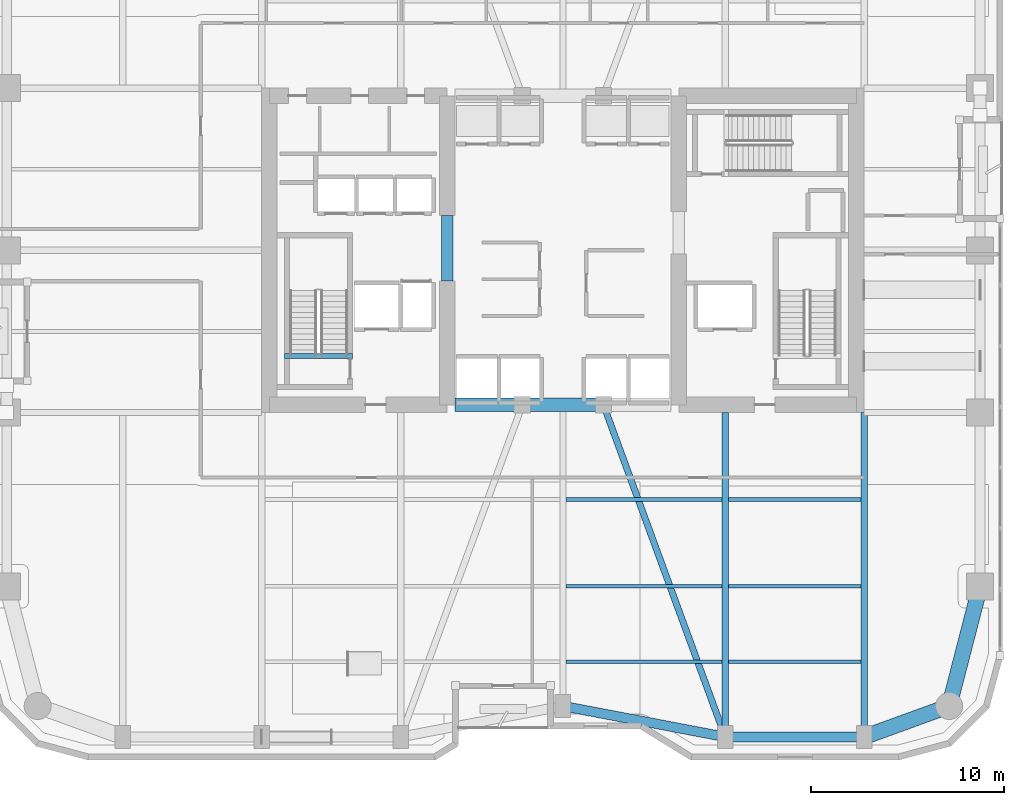
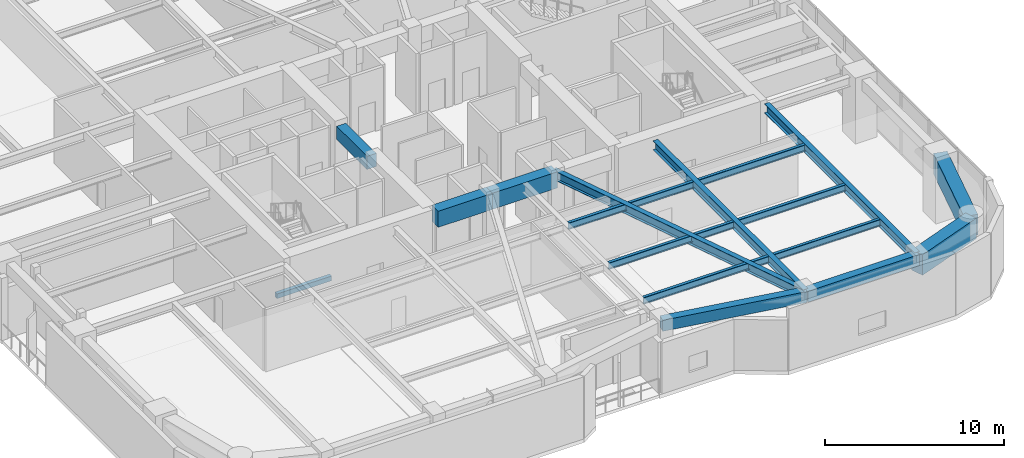
# One storey, part 3 of 23: 17 beams.
"""IFC4 building model written with IfcOpenShell, lengths in metres."""

from ifc_helpers import new_model, si_unit, direction, frame, origin, origin_2d, place, context, subcontext, project, spatial, rectangle, i_section, extrude, material, material_profile, profile_set, type_object, element, save


model = new_model("IFC4")

# Units and contexts
model_context = context("Model", 3, precision=1e-05, world=origin(), true_north=direction((0.0, 1.0)))
body_context = subcontext(model_context, "Body", "Model", "MODEL_VIEW")
ifc_project = project(units=[si_unit("LENGTHUNIT", "METRE"), si_unit("AREAUNIT", "SQUARE_METRE"), si_unit("VOLUMEUNIT", "CUBIC_METRE"), si_unit("PLANEANGLEUNIT", "RADIAN"), si_unit("MASSUNIT", "GRAM", prefix="KILO")], contexts=[model_context])

# Site, building, storey
site_placement = place(None, origin())
site = spatial("IfcSite", under=ifc_project, at=site_placement, CompositionType="ELEMENT")
building_placement = place(site_placement, origin())
building = spatial("IfcBuilding", under=site, at=building_placement, Name="Kiyonajd Concourse Tower", CompositionType="ELEMENT")
storey_placement = place(building_placement, frame((0.0, 0.0, 120.89990234375)))
storey = spatial("IfcBuildingStorey", under=building, at=storey_placement, Name="L31", CompositionType="ELEMENT", Elevation=120.89990234375)

# Beams
ifc_material_1 = material(Name="Concrete C70/85", Category="concrete")
ifc_material_profile_1 = material_profile(ifc_material_1, rectangle(XDim=0.699951171875, YDim=1.10009765625, at=origin_2d()), Name="RCBM-700x1100")
ifc_profile_set_1 = profile_set([ifc_material_profile_1], Name="Concrete C70/85")
beam_type_1 = type_object("IfcBeamType", Name="BM-COUP-1100", PredefinedType="LINTEL", material=ifc_profile_set_1)
beam_1_placement = place(storey_placement, frame((42.39990234375, 28.0, 3.690185546875), z_axis=(1.0, 0.0, 0.0), x_axis=(0.0, 1.0, 0.0)))
element("IfcBeam", 1, at=beam_1_placement, inside=storey, type_object=beam_type_1, Name="L31 Core Coupling Beam S1", PredefinedType="LINTEL", context=body_context, shape_type="SweptSolid", body=[
    extrude(rectangle(XDim=0.699951171875, YDim=1.10009765625, at=origin_2d()), origin(), (0.0, 0.0, 1.0), 3.5),
])
beam_2_placement = place(storey_placement, frame((45.89990234375, 28.0, 3.690185546875), z_axis=(1.0, 0.0, 0.0), x_axis=(0.0, 1.0, 0.0)))
element("IfcBeam", 2, at=beam_2_placement, inside=storey, type_object=beam_type_1, Name="L31 Core Coupling Beam S2", PredefinedType="LINTEL", context=body_context, shape_type="SweptSolid", body=[
    extrude(rectangle(XDim=0.699951171875, YDim=1.10009765625, at=origin_2d()), origin(), (0.0, 0.0, 1.0), 4.2001953125),
])
ifc_material_2 = material(Name="Concrete C60/75", Category="concrete")
ifc_material_profile_2 = material_profile(ifc_material_2, rectangle(XDim=0.60009765625, YDim=0.89990234375, at=origin_2d()), Name="RCBM-600x900")
ifc_profile_set_2 = profile_set([ifc_material_profile_2], Name="Concrete C60/75")
beam_type_2 = type_object("IfcBeamType", Name="BM-COUP-900", PredefinedType="LINTEL", material=ifc_profile_set_2)
beam_3_placement = place(storey_placement, frame((42.0, 34.39990234375, 3.690185546875), z_axis=(0.0, 1.0, 0.0), x_axis=(-1.0, 0.0, 0.0)))
element("IfcBeam", 3, at=beam_3_placement, inside=storey, type_object=beam_type_2, Name="L31 West Core Throat Coupling Lintel", PredefinedType="LINTEL", context=body_context, shape_type="SweptSolid", body=[
    extrude(rectangle(XDim=0.60009765625, YDim=0.89990234375, at=origin_2d()), origin(), (0.0, 0.0, 1.0), 3.400146484375),
])
ifc_material_3 = material(Name="Steel ASTM A992 Grade 50", Category="steel")
ifc_material_profile_3 = material_profile(ifc_material_3, i_section(OverallWidth=0.19189453125, OverallDepth=0.462890625, WebThickness=0.010498046875, FlangeThickness=0.017578125, at=origin_2d()), Name="W460X89")
ifc_profile_set_3 = profile_set([ifc_material_profile_3], Name="Steel ASTM A992 Grade 50")
beam_type_3 = type_object("IfcBeamType", Name="BM-JST-460B", PredefinedType="JOIST", material=ifc_profile_set_3)
beam_4_placement = place(storey_placement, frame((48.16357421875, 14.699951171875, 4.008544921875), z_axis=(1.0, 0.0, 0.0), x_axis=(0.0, 1.0, 0.0)))
element("IfcBeam", 4, at=beam_4_placement, inside=storey, type_object=beam_type_3, Name="L31 Secondary Floor Joist", PredefinedType="JOIST", context=body_context, shape_type="SweptSolid", body=[
    extrude(i_section(OverallWidth=0.19189453125, OverallDepth=0.462890625, WebThickness=0.010498046875, FlangeThickness=0.017578125, at=origin_2d()), origin(), (0.0, 0.0, 1.0), 8.072998046875),
])
beam_5_placement = place(storey_placement, frame((56.5634765625, 14.699951171875, 4.008544921875), z_axis=(1.0, 0.0, 0.0), x_axis=(0.0, 1.0, 0.0)))
element("IfcBeam", 5, at=beam_5_placement, inside=storey, type_object=beam_type_3, Name="L31 Secondary Floor Joist", PredefinedType="JOIST", context=body_context, shape_type="SweptSolid", body=[
    extrude(i_section(OverallWidth=0.19189453125, OverallDepth=0.462890625, WebThickness=0.010498046875, FlangeThickness=0.017578125, at=origin_2d()), origin(), (0.0, 0.0, 1.0), 6.873046875),
])
beam_6_placement = place(storey_placement, frame((48.16357421875, 18.60009765625, 4.008544921875), z_axis=(1.0, 0.0, 0.0), x_axis=(0.0, 1.0, 0.0)))
element("IfcBeam", 6, at=beam_6_placement, inside=storey, type_object=beam_type_3, Name="L31 Secondary Floor Joist", PredefinedType="JOIST", context=body_context, shape_type="SweptSolid", body=[
    extrude(i_section(OverallWidth=0.19189453125, OverallDepth=0.462890625, WebThickness=0.010498046875, FlangeThickness=0.017578125, at=origin_2d()), origin(), (0.0, 0.0, 1.0), 8.072998046875),
])
beam_7_placement = place(storey_placement, frame((56.5634765625, 18.60009765625, 4.008544921875), z_axis=(1.0, 0.0, 0.0), x_axis=(0.0, 1.0, 0.0)))
element("IfcBeam", 7, at=beam_7_placement, inside=storey, type_object=beam_type_3, Name="L31 Secondary Floor Joist", PredefinedType="JOIST", context=body_context, shape_type="SweptSolid", body=[
    extrude(i_section(OverallWidth=0.19189453125, OverallDepth=0.462890625, WebThickness=0.010498046875, FlangeThickness=0.017578125, at=origin_2d()), origin(), (0.0, 0.0, 1.0), 6.873046875),
])
beam_8_placement = place(storey_placement, frame((48.16357421875, 23.10009765625, 4.008544921875), z_axis=(1.0, 0.0, 0.0), x_axis=(0.0, 1.0, 0.0)))
element("IfcBeam", 8, at=beam_8_placement, inside=storey, type_object=beam_type_3, Name="L31 Secondary Floor Joist", PredefinedType="JOIST", context=body_context, shape_type="SweptSolid", body=[
    extrude(i_section(OverallWidth=0.19189453125, OverallDepth=0.462890625, WebThickness=0.010498046875, FlangeThickness=0.017578125, at=origin_2d()), origin(), (0.0, 0.0, 1.0), 8.072998046875),
])
beam_9_placement = place(storey_placement, frame((56.5634765625, 23.10009765625, 4.008544921875), z_axis=(1.0, 0.0, 0.0), x_axis=(0.0, 1.0, 0.0)))
element("IfcBeam", 9, at=beam_9_placement, inside=storey, type_object=beam_type_3, Name="L31 Secondary Floor Joist", PredefinedType="JOIST", context=body_context, shape_type="SweptSolid", body=[
    extrude(i_section(OverallWidth=0.19189453125, OverallDepth=0.462890625, WebThickness=0.010498046875, FlangeThickness=0.017578125, at=origin_2d()), origin(), (0.0, 0.0, 1.0), 6.873046875),
])
ifc_material_4 = material(Name="Concrete C50/60", Category="concrete")
ifc_material_profile_4 = material_profile(ifc_material_4, rectangle(XDim=0.239990234375, YDim=0.320068359375, at=origin_2d()), Name="RCBM-240x320")
ifc_profile_set_4 = profile_set([ifc_material_profile_4], Name="Concrete C50/60")
beam_type_4 = type_object("IfcBeamType", Name="BM-LNT-250", PredefinedType="LINTEL", material=ifc_profile_set_4)
beam_10_placement = place(storey_placement, frame((33.590087890625, 30.530029296875, -0.159912109375), z_axis=(1.0, 0.0, 0.0), x_axis=(0.0, 1.0, 0.0)))
element("IfcBeam", 10, at=beam_10_placement, inside=storey, type_object=beam_type_4, Name="L31 Stair ST1 Threshold Support Beam", PredefinedType="LINTEL", context=body_context, shape_type="SweptSolid", body=[
    extrude(rectangle(XDim=0.239990234375, YDim=0.320068359375, at=origin_2d()), origin(), (0.0, 0.0, 1.0), 3.52001953125),
])
ifc_material_5 = material(Name="Precast concrete C50/60", Category="concrete")
ifc_material_profile_5 = material_profile(ifc_material_5, rectangle(XDim=0.5, YDim=0.75, at=origin_2d()), Name="RCBM-500x750")
ifc_profile_set_5 = profile_set([ifc_material_profile_5], Name="Precast concrete C50/60")
beam_type_5 = type_object("IfcBeamType", Name="BM-SPAN-RC", PredefinedType="SPANDREL", material=ifc_profile_set_5)
beam_11_placement = place(storey_placement, frame((48.0, 12.39990234375, 3.864990234375), z_axis=(0.982341315253, -0.187097675953, 0.0), x_axis=(0.187097675953, 0.982341315253, 0.0)))
element("IfcBeam", 11, at=beam_11_placement, inside=storey, type_object=beam_type_5, Name="L31 Perimeter Bundled Tube Spandrel", PredefinedType="SPANDREL", context=body_context, shape_type="SweptSolid", body=[
    extrude(rectangle(XDim=0.5, YDim=0.75, at=origin_2d()), origin(), (0.0, 0.0, 1.0), 8.55078125),
])
beam_12_placement = place(storey_placement, frame((56.39990234375, 10.800048828125, 3.864990234375), z_axis=(1.0, 0.0, 0.0), x_axis=(0.0, 1.0, 0.0)))
element("IfcBeam", 12, at=beam_12_placement, inside=storey, type_object=beam_type_5, Name="L31 Perimeter Bundled Tube Spandrel", PredefinedType="SPANDREL", context=body_context, shape_type="SweptSolid", body=[
    extrude(rectangle(XDim=0.5, YDim=0.75, at=origin_2d()), origin(), (0.0, 0.0, 1.0), 7.2001953125),
])
ifc_material_profile_6 = material_profile(ifc_material_3, i_section(OverallWidth=0.326904296875, OverallDepth=0.6220703125, WebThickness=0.015380859375, FlangeThickness=0.0244140625, at=origin_2d()), Name="W610X195")
ifc_profile_set_6 = profile_set([ifc_material_profile_6], Name="Steel ASTM A992 Grade 50")
beam_type_6 = type_object("IfcBeamType", Name="BM-TWR-610A", PredefinedType="BEAM", material=ifc_profile_set_6)
beam_13_placement = place(storey_placement, frame((50.10009765625, 28.0, 3.92919921875), z_axis=(0.343925269715, -0.938997022813, 0.0), x_axis=(0.938997022813, 0.343925269715, 0.0)))
element("IfcBeam", 13, at=beam_13_placement, inside=storey, type_object=beam_type_6, Name="L31 Core Tie Girder", PredefinedType="BEAM", context=body_context, shape_type="SweptSolid", body=[
    extrude(i_section(OverallWidth=0.326904296875, OverallDepth=0.6220703125, WebThickness=0.015380859375, FlangeThickness=0.0244140625, at=origin_2d()), origin(), (0.0, 0.0, 1.0), 18.3173828125),
])
for number, where, z_axis, x_axis, name in (
    (14, (56.39990234375, 10.800048828125, 3.92919921875), (0.0, 1.0, 0.0), (-1.0, 0.0, 0.0), "L31 South Lease Girder"),
    (15, (63.60009765625, 10.800048828125, 3.92919921875), (0.0, 1.0, 0.0), (-1.0, 0.0, 0.0), "L31 South Lease Girder"),
):
    element("IfcBeam", number, at=place(storey_placement, frame(where, z_axis=z_axis, x_axis=x_axis)), inside=storey, type_object=beam_type_6, Name=name, PredefinedType="BEAM", context=body_context, shape_type="SweptSolid", body=[
        extrude(i_section(OverallWidth=0.326904296875, OverallDepth=0.6220703125, WebThickness=0.015380859375, FlangeThickness=0.0244140625, at=origin_2d()), origin(), (0.0, 0.0, 1.0), 16.800048828125),
    ])
ifc_material_profile_7 = material_profile(ifc_material_2, rectangle(XDim=0.800048828125, YDim=1.39990234375, at=origin_2d()), Name="RCBM-800x1400")
ifc_profile_set_7 = profile_set([ifc_material_profile_7], Name="Concrete C60/75")
beam_type_7 = type_object("IfcBeamType", Name="BM-XFER-RC", PredefinedType="BEAM", material=ifc_profile_set_7)
beam_14_placement = place(storey_placement, frame((63.60009765625, 10.800048828125, 3.5400390625), z_axis=(0.939801036019, 0.341722127901, 0.0), x_axis=(-0.341722127901, 0.939801036019, 0.0)))
element("IfcBeam", 16, at=beam_14_placement, inside=storey, type_object=beam_type_7, Name="L31 Perimeter Bundled Tube Spandrel", PredefinedType="BEAM", context=body_context, shape_type="SweptSolid", body=[
    extrude(rectangle(XDim=0.800048828125, YDim=1.39990234375, at=origin_2d()), origin(), (0.0, 0.0, 1.0), 4.681640625),
])
beam_15_placement = place(storey_placement, frame((68.0, 12.39990234375, 3.5400390625), z_axis=(0.249884937687, 0.968275538221, 0.0), x_axis=(-0.968275538221, 0.249884937687, 0.0)))
element("IfcBeam", 17, at=beam_15_placement, inside=storey, type_object=beam_type_7, Name="L31 Perimeter Bundled Tube Spandrel", PredefinedType="BEAM", context=body_context, shape_type="SweptSolid", body=[
    extrude(rectangle(XDim=0.800048828125, YDim=1.39990234375, at=origin_2d()), origin(), (0.0, 0.0, 1.0), 6.4033203125),
])

save(model, "model.ifc")
